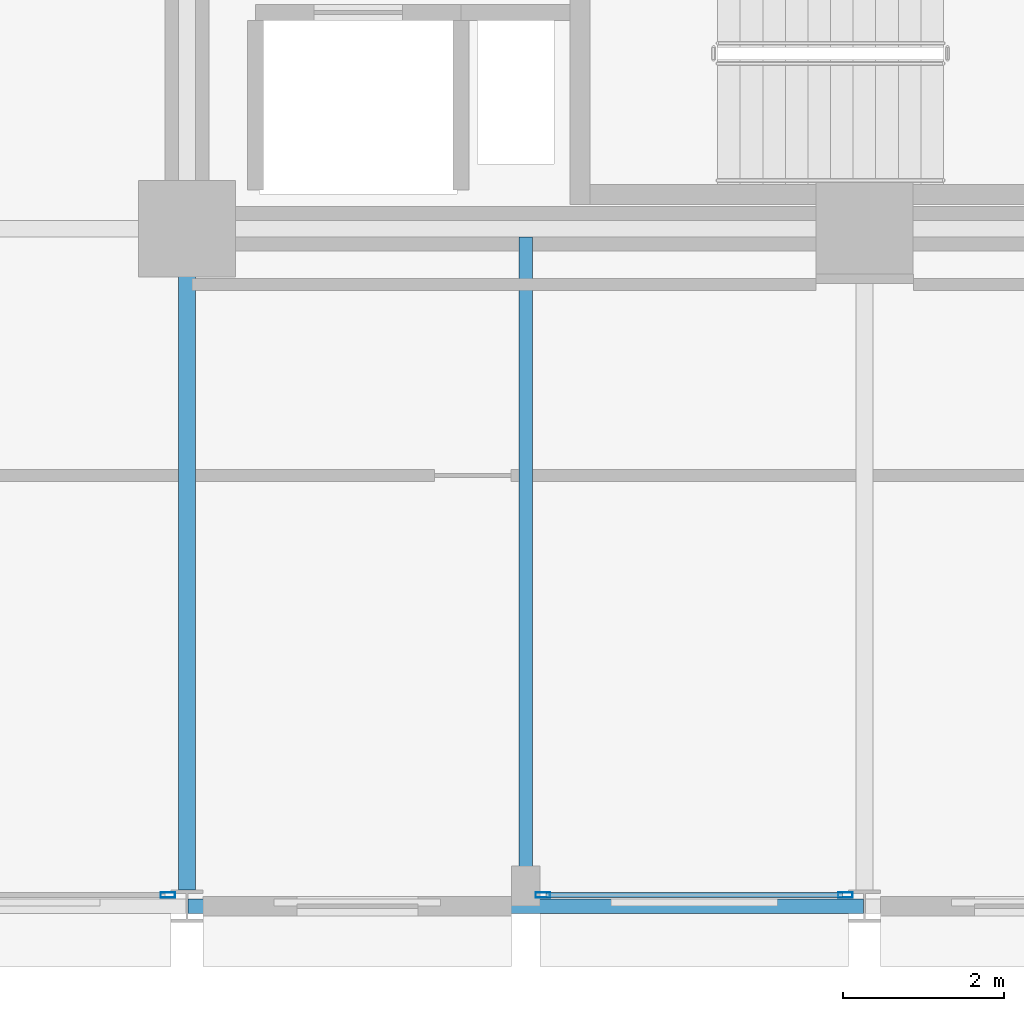
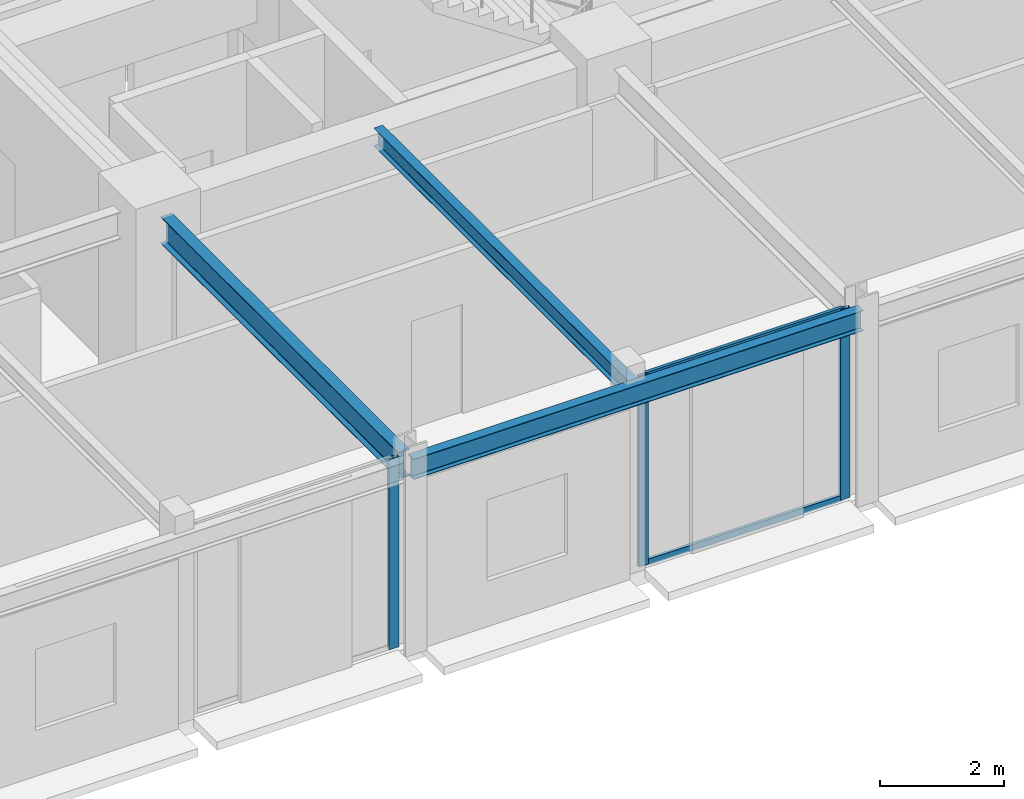
# One storey, part 8 of 40: 5 members, 3 beams, 2 elements without a shape of their own.
"""IFC4 building model written with IfcOpenShell, lengths in metres."""

from ifc_helpers import new_model, si_unit, direction, frame, origin, origin_2d, place, context, subcontext, project, spatial, hollow_rectangle, i_section, extrude, material, layer, layer_set, material_profile, profile_set, type_object, element, aggregate, save


model = new_model("IFC4")

# Units and contexts
model_context = context("Model", 3, precision=1e-05, world=origin(), true_north=direction((0.0, 1.0)))
body_context = subcontext(model_context, "Body", "Model", "MODEL_VIEW")
ifc_project = project(units=[si_unit("LENGTHUNIT", "METRE"), si_unit("AREAUNIT", "SQUARE_METRE"), si_unit("VOLUMEUNIT", "CUBIC_METRE"), si_unit("PLANEANGLEUNIT", "RADIAN"), si_unit("MASSUNIT", "GRAM", prefix="KILO")], contexts=[model_context])

# Site, building, storey
site_placement = place(None, origin())
site = spatial("IfcSite", under=ifc_project, at=site_placement, CompositionType="ELEMENT")
building_placement = place(site_placement, origin())
building = spatial("IfcBuilding", under=site, at=building_placement, Name="Nerrivon Quay Data Exchange", CompositionType="ELEMENT")
storey_placement = place(building_placement, frame((0.0, 0.0, 109.0)))
storey = spatial("IfcBuildingStorey", under=building, at=storey_placement, Name="L25", CompositionType="ELEMENT", Elevation=109.0)

# Beams
ifc_material_1 = material(Name="Steel Grade 350", Category="steel")
ifc_material_profile_1 = material_profile(ifc_material_1, i_section(OverallWidth=0.208984375, OverallDepth=0.528076171875, WebThickness=0.009521484375, FlangeThickness=0.01318359375, FilletRadius=0.013916015625, at=origin_2d()), Name="530UB82.0")
ifc_profile_set_1 = profile_set([ifc_material_profile_1], Name="Steel Grade 350")
beam_type_1 = type_object("IfcBeamType", Name="BM-G4-530UB82", PredefinedType="BEAM", material=ifc_profile_set_1)
beam_1_placement = place(storey_placement, frame((16.800048828125, 0.199951171875, 3.486083984375), z_axis=(0.0, 1.0, 0.0), x_axis=(-1.0, 0.0, 0.0)))
element("IfcBeam", 1, at=beam_1_placement, inside=storey, type_object=beam_type_1, Name="L25 NS Girder X=16.8 (0.0..8.4)", PredefinedType="BEAM", context=body_context, shape_type="SweptSolid", body=[
    extrude(i_section(OverallWidth=0.208984375, OverallDepth=0.528076171875, WebThickness=0.009521484375, FlangeThickness=0.01318359375, FilletRadius=0.013916015625, at=origin_2d()), origin(), (0.0, 0.0, 1.0), 7.66015625),
])
ifc_material_profile_2 = material_profile(ifc_material_1, i_section(OverallWidth=0.1708984375, OverallDepth=0.35595703125, WebThickness=0.00732421875, FlangeThickness=0.011474609375, FilletRadius=0.011474609375, at=origin_2d()), Name="360UB50.7")
ifc_profile_set_2 = profile_set([ifc_material_profile_2], Name="Steel Grade 350")
beam_type_2 = type_object("IfcBeamType", Name="BM-J4-360UB51", PredefinedType="JOIST", material=ifc_profile_set_2)
beam_2_placement = place(storey_placement, frame((21.0, 0.089111328125, 3.572021484375), z_axis=(0.0, 1.0, 0.0), x_axis=(-1.0, 0.0, 0.0)))
element("IfcBeam", 2, at=beam_2_placement, inside=storey, type_object=beam_type_2, Name="L25 Secondary Joist X=21.0 (0.0..8.4)", PredefinedType="JOIST", context=body_context, shape_type="SweptSolid", body=[
    extrude(i_section(OverallWidth=0.1708984375, OverallDepth=0.35595703125, WebThickness=0.00732421875, FlangeThickness=0.011474609375, FilletRadius=0.011474609375, at=origin_2d()), origin(), (0.0, 0.0, 1.0), 8.206298828125),
])
ifc_material_profile_3 = material_profile(ifc_material_1, i_section(OverallWidth=0.177978515625, OverallDepth=0.403076171875, WebThickness=0.007568359375, FlangeThickness=0.010986328125, FilletRadius=0.011474609375, at=origin_2d()), Name="410UB53.7")
ifc_profile_set_3 = profile_set([ifc_material_profile_3], Name="Steel Grade 350")
beam_type_3 = type_object("IfcBeamType", Name="BM-SP2-410UB54", PredefinedType="SPANDREL", material=ifc_profile_set_3)
beam_3_placement = place(storey_placement, frame((16.8125, 0.0, 3.548583984375), z_axis=(1.0, 0.0, 0.0), x_axis=(0.0, 1.0, 0.0)))
element("IfcBeam", 3, at=beam_3_placement, inside=storey, type_object=beam_type_3, Name="L25 EW Girder Y=0.0 (16.8..25.2)", PredefinedType="SPANDREL", context=body_context, shape_type="SweptSolid", body=[
    extrude(i_section(OverallWidth=0.177978515625, OverallDepth=0.403076171875, WebThickness=0.007568359375, FlangeThickness=0.010986328125, FilletRadius=0.011474609375, at=origin_2d()), origin(), (0.0, 0.0, 1.0), 8.375),
])

# Curtain wall, members
ifc_material_2 = material(Name="Anodised aluminium 6063-T6", Category="aluminium")
ifc_layer = layer(ifc_material_2, 0.2099609375)
ifc_layer_set = layer_set([ifc_layer], Name="Anodised aluminium 6063-T6")
curtain_wall_type = type_object("IfcCurtainWallType", Name="CW-SYS-02", PredefinedType="NOTDEFINED", material=ifc_layer_set)
curtain_wall_1_placement = place(storey_placement, origin())
curtain_wall_1 = element("IfcCurtainWall", 4, at=curtain_wall_1_placement, inside=storey, type_object=curtain_wall_type, Name="L25 Unitised Curtain Wall 10", PredefinedType="NOTDEFINED")
ifc_material_profile_4 = material_profile(ifc_material_2, hollow_rectangle(XDim=0.06494140625, YDim=0.179931640625, WallThickness=0.00341796875, at=origin_2d()), Name="ALU-MULL-180x65")
ifc_profile_set_4 = profile_set([ifc_material_profile_4], Name="Anodised aluminium 6063-T6")
member_type_1 = type_object("IfcMemberType", Name="CWM-180x65", PredefinedType="MULLION", material=ifc_profile_set_4)
member_1_placement = place(storey_placement, frame((24.96240234375, 0.139892578125, 0.0), z_axis=(0.0, 0.0, 1.0), x_axis=(0.0, -1.0, 0.0)))
member_1 = element("IfcMember", 5, at=member_1_placement, type_object=member_type_1, Name="CW02 mullion 1", PredefinedType="MULLION", context=body_context, shape_type="SweptSolid", body=[
    extrude(hollow_rectangle(XDim=0.06494140625, YDim=0.179931640625, WallThickness=0.00341796875, at=origin_2d()), origin(), (0.0, 0.0, 1.0), 3.75),
])
member_2_placement = place(storey_placement, frame((21.21240234375, 0.139892578125, 0.0), z_axis=(0.0, 0.0, 1.0), x_axis=(0.0, -1.0, 0.0)))
member_2 = element("IfcMember", 6, at=member_2_placement, type_object=member_type_1, Name="CW02 mullion 2", PredefinedType="MULLION", context=body_context, shape_type="SweptSolid", body=[
    extrude(hollow_rectangle(XDim=0.06494140625, YDim=0.179931640625, WallThickness=0.00341796875, at=origin_2d()), origin(), (0.0, 0.0, 1.0), 3.75),
])

# Curtain wall, member
curtain_wall_2_placement = place(storey_placement, origin())
curtain_wall_2 = element("IfcCurtainWall", 7, at=curtain_wall_2_placement, inside=storey, type_object=curtain_wall_type, Name="L25 Unitised Curtain Wall 12", PredefinedType="NOTDEFINED")
member_3_placement = place(storey_placement, frame((16.5625, 0.139892578125, 0.0), z_axis=(0.0, 0.0, 1.0), x_axis=(0.0, -1.0, 0.0)))
member_3 = element("IfcMember", 8, at=member_3_placement, type_object=member_type_1, Name="CW02 mullion 1", PredefinedType="MULLION", context=body_context, shape_type="SweptSolid", body=[
    extrude(hollow_rectangle(XDim=0.06494140625, YDim=0.179931640625, WallThickness=0.00341796875, at=origin_2d()), origin(), (0.0, 0.0, 1.0), 3.75),
])
aggregate(curtain_wall_2, [member_3])

# Member
ifc_material_profile_5 = material_profile(ifc_material_2, hollow_rectangle(XDim=0.06005859375, YDim=0.1201171875, WallThickness=0.003173828125, at=origin_2d()), Name="ALU-TRAN-120x60")
ifc_profile_set_5 = profile_set([ifc_material_profile_5], Name="Anodised aluminium 6063-T6")
member_type_2 = type_object("IfcMemberType", Name="CWT-120x60", PredefinedType="USERDEFINED", material=ifc_profile_set_5)
member_4_placement = place(storey_placement, frame((24.925048828125, 0.139892578125, 0.032470703125), z_axis=(-1.0, 0.0, 0.0), x_axis=(0.0, -1.0, 0.0)))
member_4 = element("IfcMember", 9, at=member_4_placement, type_object=member_type_2, Name="CW02 transom 1.1", ObjectType="TRANSOM", PredefinedType="USERDEFINED", context=body_context, shape_type="SweptSolid", body=[
    extrude(hollow_rectangle(XDim=0.06005859375, YDim=0.1201171875, WallThickness=0.003173828125, at=origin_2d()), origin(), (0.0, 0.0, 1.0), 3.675048828125),
])

member_5_placement = place(storey_placement, frame((24.925048828125, 0.139892578125, 3.717529296875), z_axis=(-1.0, 0.0, 0.0), x_axis=(0.0, -1.0, 0.0)))
member_5 = element("IfcMember", 10, at=member_5_placement, type_object=member_type_2, Name="CW02 transom 1.2", ObjectType="TRANSOM", PredefinedType="USERDEFINED", context=body_context, shape_type="SweptSolid", body=[
    extrude(hollow_rectangle(XDim=0.06005859375, YDim=0.1201171875, WallThickness=0.003173828125, at=origin_2d()), origin(), (0.0, 0.0, 1.0), 3.675048828125),
])

aggregate(curtain_wall_1, [member_1, member_2, member_4, member_5])

save(model, "model.ifc")
